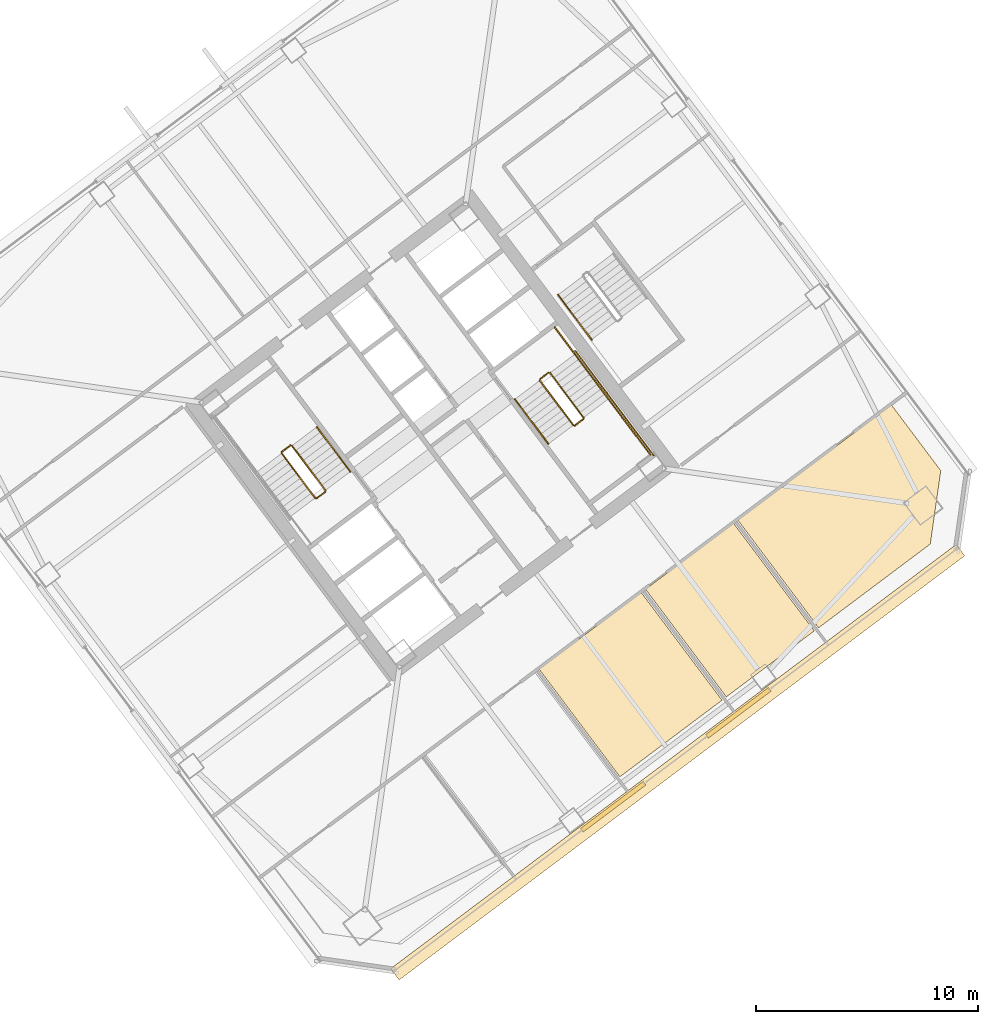
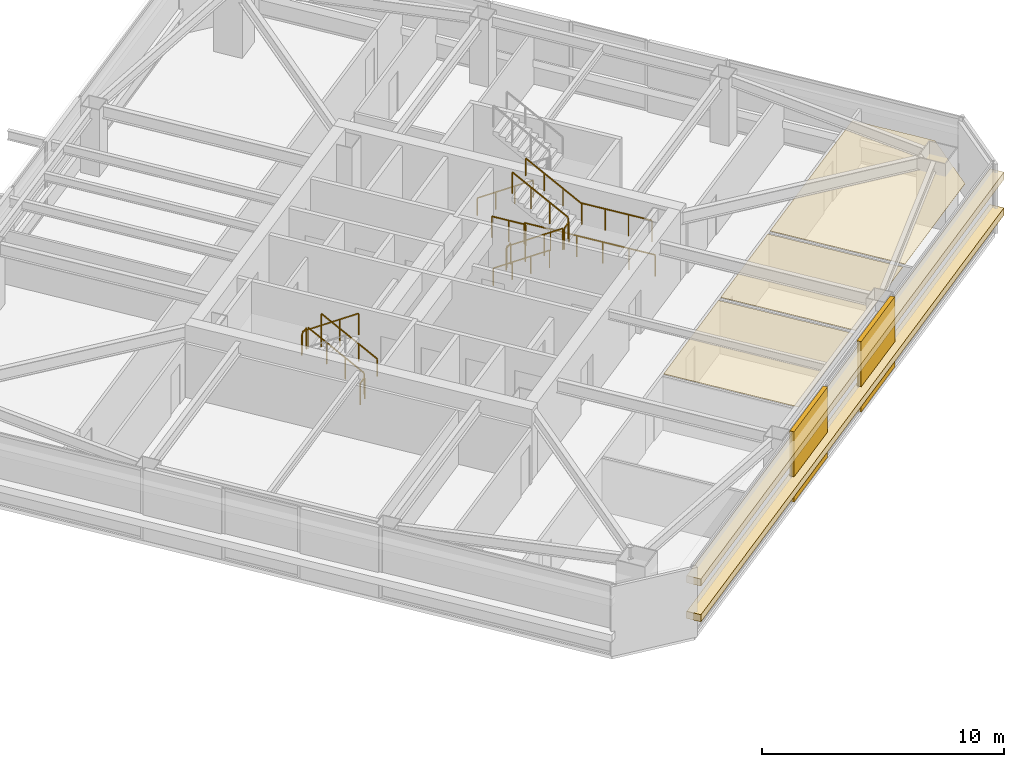
# One storey, part 40 of 42: 15 railings, 7 coverings.
"""IFC4 building model written with IfcOpenShell, lengths in metres."""

from ifc_helpers import new_model, si_unit, direction, frame, origin, origin_2d, place, context, subcontext, project, spatial, polyline, rectangle, outline, extrude, material, layer, layer_set, type_object, element, save


model = new_model("IFC4")

# Units and contexts
model_context = context("Model", 3, precision=1e-05, world=origin(), true_north=direction((0.0, 1.0)))
body_context = subcontext(model_context, "Body", "Model", "MODEL_VIEW")
ifc_project = project(units=[si_unit("LENGTHUNIT", "METRE"), si_unit("AREAUNIT", "SQUARE_METRE"), si_unit("VOLUMEUNIT", "CUBIC_METRE"), si_unit("PLANEANGLEUNIT", "RADIAN"), si_unit("MASSUNIT", "GRAM", prefix="KILO")], contexts=[model_context])

# Site, building, storey
site_placement = place(None, origin())
site = spatial("IfcSite", under=ifc_project, at=site_placement, CompositionType="ELEMENT")
building_placement = place(site_placement, origin())
building = spatial("IfcBuilding", under=site, at=building_placement, Name="Tashvorn Skyway Center", CompositionType="ELEMENT")
storey_placement = place(building_placement, frame((0.0, 0.0, 121.5)))
storey = spatial("IfcBuildingStorey", under=building, at=storey_placement, Name="L32", CompositionType="ELEMENT", Elevation=121.5)

# Coverings
ifc_material_1 = material(Name="Precast concrete C40/50", Category="concrete")
ifc_layer_1 = layer(ifc_material_1, 0.199951171875)
ifc_layer_set_1 = layer_set([ifc_layer_1], Name="Precast concrete C40/50")
covering_type_1 = type_object("IfcCoveringType", Name="COV-BRACE-CLAD", PredefinedType="CLADDING", material=ifc_layer_set_1)
for number, where, z_axis, x_axis, name in (
    (1, (127.791259765625, 19.493408203125, 0.0), (0.0, 0.0, 1.0), (-0.799999996291, -0.600000004945, 0.0), "Tower 2 L32 South Unitised Curtain Wall Mega-Brace Cladding Band 1"),
    (2, (122.144775390625, 15.258544921875, 0.0), (0.0, 0.0, 1.0), (-0.799999996291, -0.600000004945, 0.0), "Tower 2 L32 South Unitised Curtain Wall Mega-Brace Cladding Band 2"),
):
    element("IfcCovering", number, at=place(storey_placement, frame(where, z_axis=z_axis, x_axis=x_axis)), inside=storey, type_object=covering_type_1, Name=name, PredefinedType="CLADDING", context=body_context, shape_type="SweptSolid", body=[
        extrude(rectangle(XDim=3.52880859375, YDim=0.199951171875, at=origin_2d()), origin(), (0.0, 0.0, 1.0), 3.550048828125),
    ])
ifc_material_2 = material(Name="Mineral-fibre acoustic ceiling tile on suspended grid")
ifc_layer_2 = layer(ifc_material_2, 0.02001953125)
ifc_layer_set_2 = layer_set([ifc_layer_2], Name="Mineral-fibre acoustic ceiling tile on suspended grid")
covering_type_2 = type_object("IfcCoveringType", Name="COV-CEIL-20", PredefinedType="CEILING", material=ifc_layer_set_2)
covering_1_placement = place(storey_placement, frame((0.0, 0.0, 2.702880859375)))
element("IfcCovering", 3, at=covering_1_placement, inside=storey, type_object=covering_type_2, Name="Tower 2 L32 Design Studio Acoustic Ceiling", PredefinedType="CEILING", context=body_context, shape_type="SweptSolid", body=[
    extrude(outline(polyline([(118.802001953125, 21.464111328125), (123.409912109375, 24.919921875), (127.052001953125, 20.06396484375), (122.444091796875, 16.60791015625), (118.802001953125, 21.464111328125)])), origin(), (0.0, 0.0, 1.0), 0.02001953125),
])
covering_2_placement = place(storey_placement, frame((0.0, 0.0, 2.702880859375)))
element("IfcCovering", 4, at=covering_2_placement, inside=storey, type_object=covering_type_2, Name="Tower 2 L32 Reading Lounge Acoustic Ceiling", PredefinedType="CEILING", context=body_context, shape_type="SweptSolid", body=[
    extrude(outline(polyline([(123.60205078125, 25.06396484375), (127.570068359375, 28.0400390625), (131.2119140625, 23.18408203125), (127.243896484375, 20.2080078125), (123.60205078125, 25.06396484375)])), origin(), (0.0, 0.0, 1.0), 0.02001953125),
])
covering_3_placement = place(storey_placement, frame((0.0, 0.0, 2.702880859375)))
element("IfcCovering", 5, at=covering_3_placement, inside=storey, type_object=covering_type_2, Name="Tower 2 L32 Open Plan Office Acoustic Ceiling", PredefinedType="CEILING", context=body_context, shape_type="SweptSolid", body=[
    extrude(outline(polyline([(131.404052734375, 23.327880859375), (127.761962890625, 28.18408203125), (134.68994140625, 33.3798828125), (136.916015625, 30.412109375), (136.444091796875, 27.10791015625), (131.404052734375, 23.327880859375)])), origin(), (0.0, 0.0, 1.0), 0.02001953125),
])
ifc_material_3 = material(Name="Perforated ceramic-coated bronze aluminium solar screen", Category="aluminium")
ifc_layer_3 = layer(ifc_material_3, 0.85009765625)
ifc_layer_set_3 = layer_set([ifc_layer_3], Name="Perforated ceramic-coated bronze aluminium solar screen")
covering_type_3 = type_object("IfcCoveringType", Name="COV-SOLAR-BAND", PredefinedType="CLADDING", material=ifc_layer_set_3)
for number, where, z_axis, x_axis, name in (
    (6, (125.052001953125, 17.263916015625, 0.919921875), (0.0, 0.0, 1.0), (-0.799999996291, -0.600000004945, 0.0), "L32 Perforated Ceramic-Metal Solar Screen Louvre Band South 1"),
    (7, (125.052001953125, 17.263916015625, 2.7197265625), (0.0, 0.0, 1.0), (-0.799999996291, -0.600000004945, 0.0), "L32 Perforated Ceramic-Metal Solar Screen Louvre Band South 2"),
):
    element("IfcCovering", number, at=place(storey_placement, frame(where, z_axis=z_axis, x_axis=x_axis)), inside=storey, type_object=covering_type_3, Name=name, PredefinedType="CLADDING", context=body_context, shape_type="SweptSolid", body=[
        extrude(rectangle(XDim=31.8798828125, YDim=0.639892578125, at=origin_2d()), origin(), (0.0, 0.0, 1.0), 0.360107421875),
    ])

# Railings
ifc_material_4 = material(Name="Brushed stainless steel 316", Category="steel")
railing_type_1 = type_object("IfcRailingType", Name="RAIL-HAND-920", PredefinedType="HANDRAIL", material=ifc_material_4)
railing_1_placement = place(storey_placement, frame((110.2880859375, 30.365966796875, 0.177490234375)))
element("IfcRailing", 8, at=railing_1_placement, inside=storey, type_object=railing_type_1, Name="L32 ST-T2-1 stair handrail 1", PredefinedType="HANDRAIL", context=body_context, shape_type="SweptSolid", body=[
    extrude(rectangle(XDim=0.048095703125, YDim=0.048095703125, at=origin_2d()), frame((0.0, 0.0, 0.8759765625), z_axis=(-0.506801609611, 0.675680931896, 0.535357270211), x_axis=(-0.799976749893, -0.600030998891, 0.0)), (0.0, 0.0, 1.0), 2.98388671875),
    extrude(rectangle(XDim=0.0419921875, YDim=0.0419921875, at=origin_2d()), origin(), (0.0, 0.0, 1.0), 0.851806640625),
    extrude(rectangle(XDim=0.0419921875, YDim=0.0419921875, at=origin_2d()), frame((-0.504150390625, 0.672119140625, 0.532470703125)), (0.0, 0.0, 1.0), 0.851806640625),
    extrude(rectangle(XDim=0.0419921875, YDim=0.0419921875, at=origin_2d()), frame((-1.008056640625, 1.343994140625, 1.06494140625)), (0.0, 0.0, 1.0), 0.851806640625),
    extrude(rectangle(XDim=0.0419921875, YDim=0.0419921875, at=origin_2d()), frame((-1.51220703125, 2.01611328125, 1.597412109375)), (0.0, 0.0, 1.0), 0.851806640625),
])
railing_2_placement = place(storey_placement, frame((117.7119140625, 33.634033203125, 0.177490234375)))
element("IfcRailing", 9, at=railing_2_placement, inside=storey, type_object=railing_type_1, Name="L32 ST-T2-2 stair handrail 1", PredefinedType="HANDRAIL", context=body_context, shape_type="SweptSolid", body=[
    extrude(rectangle(XDim=0.048095703125, YDim=0.048095703125, at=origin_2d()), frame((0.0, 0.0, 0.8759765625), z_axis=(0.506801609611, -0.675680931896, 0.535357270211), x_axis=(0.799976749893, 0.600030998891, 0.0)), (0.0, 0.0, 1.0), 2.98388671875),
    extrude(rectangle(XDim=0.0419921875, YDim=0.0419921875, at=origin_2d()), origin(), (0.0, 0.0, 1.0), 0.851806640625),
    extrude(rectangle(XDim=0.0419921875, YDim=0.0419921875, at=origin_2d()), frame((0.504150390625, -0.672119140625, 0.532470703125)), (0.0, 0.0, 1.0), 0.851806640625),
    extrude(rectangle(XDim=0.0419921875, YDim=0.0419921875, at=origin_2d()), frame((1.008056640625, -1.343994140625, 1.06494140625)), (0.0, 0.0, 1.0), 0.851806640625),
    extrude(rectangle(XDim=0.0419921875, YDim=0.0419921875, at=origin_2d()), frame((1.51220703125, -2.01611328125, 1.597412109375)), (0.0, 0.0, 1.0), 0.851806640625),
])
railing_3_placement = place(storey_placement, frame((121.927978515625, 33.64599609375, 1.952392578125)))
element("IfcRailing", 10, at=railing_3_placement, inside=storey, type_object=railing_type_1, Name="L32 ST-T2-2 stair handrail 2", PredefinedType="HANDRAIL", context=body_context, shape_type="SweptSolid", body=[
    extrude(rectangle(XDim=0.048095703125, YDim=0.048095703125, at=origin_2d()), frame((0.0, 0.0, 0.8759765625), z_axis=(-0.506718600913, 0.675679348675, 0.535437836974), x_axis=(-0.800023250257, -0.599968998406, 0.0)), (0.0, 0.0, 1.0), 2.98388671875),
    extrude(rectangle(XDim=0.0419921875, YDim=0.0419921875, at=origin_2d()), origin(), (0.0, 0.0, 1.0), 0.851806640625),
    extrude(rectangle(XDim=0.0419921875, YDim=0.0419921875, at=origin_2d()), frame((-0.50390625, 0.672119140625, 0.532470703125)), (0.0, 0.0, 1.0), 0.851806640625),
    extrude(rectangle(XDim=0.0419921875, YDim=0.0419921875, at=origin_2d()), frame((-1.008056640625, 1.343994140625, 1.065185546875)), (0.0, 0.0, 1.0), 0.851806640625),
    extrude(rectangle(XDim=0.0419921875, YDim=0.0419921875, at=origin_2d()), frame((-1.511962890625, 2.01611328125, 1.59765625)), (0.0, 0.0, 1.0), 0.851806640625),
])
railing_4_placement = place(storey_placement, frame((119.656005859375, 38.342041015625, 0.177490234375)))
element("IfcRailing", 11, at=railing_4_placement, inside=storey, type_object=railing_type_1, Name="L32 ST-T2-3 stair handrail 1", PredefinedType="HANDRAIL", context=body_context, shape_type="SweptSolid", body=[
    extrude(rectangle(XDim=0.048095703125, YDim=0.048095703125, at=origin_2d()), frame((0.0, 0.0, 0.8759765625), z_axis=(0.506740800098, -0.675708949977, 0.535379469569), x_axis=(0.800023250257, 0.599968998406, 0.0)), (0.0, 0.0, 1.0), 2.983642578125),
    extrude(rectangle(XDim=0.0419921875, YDim=0.0419921875, at=origin_2d()), origin(), (0.0, 0.0, 1.0), 0.851806640625),
    extrude(rectangle(XDim=0.0419921875, YDim=0.0419921875, at=origin_2d()), frame((0.50390625, -0.672119140625, 0.532470703125)), (0.0, 0.0, 1.0), 0.851806640625),
    extrude(rectangle(XDim=0.0419921875, YDim=0.0419921875, at=origin_2d()), frame((1.008056640625, -1.343994140625, 1.06494140625)), (0.0, 0.0, 1.0), 0.851806640625),
    extrude(rectangle(XDim=0.0419921875, YDim=0.0419921875, at=origin_2d()), frame((1.511962890625, -2.01611328125, 1.597412109375)), (0.0, 0.0, 1.0), 0.851806640625),
])
ifc_material_5 = material(Name="Painted galvanized steel S355", Category="steel")
railing_type_2 = type_object("IfcRailingType", Name="RAIL-STGUARD-1100", PredefinedType="GUARDRAIL", material=ifc_material_5)
railing_5_placement = place(storey_placement, frame((109.16796875, 29.52587890625, 0.177490234375)))
element("IfcRailing", 12, at=railing_5_placement, inside=storey, type_object=railing_type_2, Name="L32 ST-T2-1 stair guard 1", PredefinedType="GUARDRAIL", context=body_context, shape_type="SweptSolid", body=[
    extrude(rectangle(XDim=0.048095703125, YDim=0.048095703125, at=origin_2d()), frame((0.0, 0.0, 1.076171875), z_axis=(-0.506740800098, 0.675708949977, 0.535379469569), x_axis=(-0.800023250257, -0.599968998406, 0.0)), (0.0, 0.0, 1.0), 2.983642578125),
    extrude(rectangle(XDim=0.0419921875, YDim=0.0419921875, at=origin_2d()), origin(), (0.0, 0.0, 1.0), 1.052001953125),
    extrude(rectangle(XDim=0.0419921875, YDim=0.0419921875, at=origin_2d()), frame((-0.50390625, 0.672119140625, 0.532470703125)), (0.0, 0.0, 1.0), 1.052001953125),
    extrude(rectangle(XDim=0.0419921875, YDim=0.0419921875, at=origin_2d()), frame((-1.008056640625, 1.343994140625, 1.06494140625)), (0.0, 0.0, 1.0), 1.052001953125),
    extrude(rectangle(XDim=0.0419921875, YDim=0.0419921875, at=origin_2d()), frame((-1.511962890625, 2.01611328125, 1.597412109375)), (0.0, 0.0, 1.0), 1.052001953125),
])
railing_6_placement = place(storey_placement, frame((107.5859375, 31.552001953125, 1.77490234375)))
element("IfcRailing", 13, at=railing_6_placement, inside=storey, type_object=railing_type_2, Name="L32 ST-T2-1 stair guard 2", PredefinedType="GUARDRAIL", context=body_context, shape_type="SweptSolid", body=[
    extrude(rectangle(XDim=0.048095703125, YDim=0.048095703125, at=origin_2d()), frame((0.0, 0.0, 1.076171875), z_axis=(-0.799938970639, -0.600081363861, 0.0), x_axis=(0.600081363861, -0.799938970639, 0.0)), (0.0, 0.0, 1.0), 0.47998046875),
    extrude(rectangle(XDim=0.0419921875, YDim=0.0419921875, at=origin_2d()), origin(), (0.0, 0.0, 1.0), 1.052001953125),
    extrude(rectangle(XDim=0.0419921875, YDim=0.0419921875, at=origin_2d()), frame((-0.384033203125, -0.2880859375, 0.0)), (0.0, 0.0, 1.0), 1.052001953125),
])
railing_7_placement = place(storey_placement, frame((107.19189453125, 31.194091796875, 1.952392578125)))
element("IfcRailing", 14, at=railing_7_placement, inside=storey, type_object=railing_type_2, Name="L32 ST-T2-1 stair guard 4", PredefinedType="GUARDRAIL", context=body_context, shape_type="SweptSolid", body=[
    extrude(rectangle(XDim=0.048095703125, YDim=0.048095703125, at=origin_2d()), frame((0.0, 0.0, 1.076171875), z_axis=(0.506779409603, -0.675651334276, 0.53541563714), x_axis=(0.799976749893, 0.600030998891, 0.0)), (0.0, 0.0, 1.0), 2.98388671875),
    extrude(rectangle(XDim=0.0419921875, YDim=0.0419921875, at=origin_2d()), origin(), (0.0, 0.0, 1.0), 1.052001953125),
    extrude(rectangle(XDim=0.0419921875, YDim=0.0419921875, at=origin_2d()), frame((0.504150390625, -0.672119140625, 0.532470703125)), (0.0, 0.0, 1.0), 1.052001953125),
    extrude(rectangle(XDim=0.0419921875, YDim=0.0419921875, at=origin_2d()), frame((1.008056640625, -1.343994140625, 1.065185546875)), (0.0, 0.0, 1.0), 1.052001953125),
    extrude(rectangle(XDim=0.0419921875, YDim=0.0419921875, at=origin_2d()), frame((1.51220703125, -2.01611328125, 1.59765625)), (0.0, 0.0, 1.0), 1.052001953125),
])
railing_8_placement = place(storey_placement, frame((109.157958984375, 29.4560546875, 0.0)))
element("IfcRailing", 15, at=railing_8_placement, inside=storey, type_object=railing_type_2, Name="L32 ST-T2-1 stair guard 5", PredefinedType="GUARDRAIL", context=body_context, shape_type="SweptSolid", body=[
    extrude(rectangle(XDim=0.048095703125, YDim=0.048095703125, at=origin_2d()), frame((0.0, 0.0, 1.076171875), z_axis=(-0.799938970639, -0.600081363861, 0.0), x_axis=(0.600081363861, -0.799938970639, 0.0)), (0.0, 0.0, 1.0), 0.47998046875),
    extrude(rectangle(XDim=0.0419921875, YDim=0.0419921875, at=origin_2d()), origin(), (0.0, 0.0, 1.0), 1.052001953125),
    extrude(rectangle(XDim=0.0419921875, YDim=0.0419921875, at=origin_2d()), frame((-0.384033203125, -0.2880859375, 0.0)), (0.0, 0.0, 1.0), 1.052001953125),
])
railing_9_placement = place(storey_placement, frame((118.83203125, 34.47412109375, 0.177490234375)))
element("IfcRailing", 16, at=railing_9_placement, inside=storey, type_object=railing_type_2, Name="L32 ST-T2-2 stair guard 1", PredefinedType="GUARDRAIL", context=body_context, shape_type="SweptSolid", body=[
    extrude(rectangle(XDim=0.048095703125, YDim=0.048095703125, at=origin_2d()), frame((0.0, 0.0, 1.076171875), z_axis=(0.506740800098, -0.675708949977, 0.535379469569), x_axis=(0.800023250257, 0.599968998406, 0.0)), (0.0, 0.0, 1.0), 2.983642578125),
    extrude(rectangle(XDim=0.0419921875, YDim=0.0419921875, at=origin_2d()), origin(), (0.0, 0.0, 1.0), 1.052001953125),
    extrude(rectangle(XDim=0.0419921875, YDim=0.0419921875, at=origin_2d()), frame((0.50390625, -0.672119140625, 0.532470703125)), (0.0, 0.0, 1.0), 1.052001953125),
    extrude(rectangle(XDim=0.0419921875, YDim=0.0419921875, at=origin_2d()), frame((1.008056640625, -1.343994140625, 1.06494140625)), (0.0, 0.0, 1.0), 1.052001953125),
    extrude(rectangle(XDim=0.0419921875, YDim=0.0419921875, at=origin_2d()), frame((1.511962890625, -2.01611328125, 1.597412109375)), (0.0, 0.0, 1.0), 1.052001953125),
])
railing_10_placement = place(storey_placement, frame((120.4140625, 32.447998046875, 1.77490234375)))
element("IfcRailing", 17, at=railing_10_placement, inside=storey, type_object=railing_type_2, Name="L32 ST-T2-2 stair guard 2", PredefinedType="GUARDRAIL", context=body_context, shape_type="SweptSolid", body=[
    extrude(rectangle(XDim=0.048095703125, YDim=0.048095703125, at=origin_2d()), frame((0.0, 0.0, 1.076171875), z_axis=(0.799938970639, 0.600081363861, 0.0), x_axis=(-0.600081363861, 0.799938970639, 0.0)), (0.0, 0.0, 1.0), 0.47998046875),
    extrude(rectangle(XDim=0.0419921875, YDim=0.0419921875, at=origin_2d()), origin(), (0.0, 0.0, 1.0), 1.052001953125),
    extrude(rectangle(XDim=0.0419921875, YDim=0.0419921875, at=origin_2d()), frame((0.384033203125, 0.2880859375, 0.0)), (0.0, 0.0, 1.0), 1.052001953125),
])
railing_11_placement = place(storey_placement, frame((121.927978515625, 33.64599609375, 1.77490234375)))
element("IfcRailing", 18, at=railing_11_placement, inside=storey, type_object=railing_type_2, Name="L32 ST-T2-2 stair guard 3", PredefinedType="GUARDRAIL", context=body_context, shape_type="SweptSolid", body=[
    extrude(rectangle(XDim=0.048095703125, YDim=0.048095703125, at=origin_2d()), frame((0.0, 0.0, 1.076171875), z_axis=(0.599987638607, -0.800009270896, 0.0), x_axis=(0.800009270896, 0.599987638607, 0.0)), (0.0, 0.0, 1.0), 3.16015625),
    extrude(rectangle(XDim=0.0419921875, YDim=0.0419921875, at=origin_2d()), origin(), (0.0, 0.0, 1.0), 1.052001953125),
    extrude(rectangle(XDim=0.0419921875, YDim=0.0419921875, at=origin_2d()), frame((0.632080078125, -0.8427734375, 0.0)), (0.0, 0.0, 1.0), 1.052001953125),
    extrude(rectangle(XDim=0.0419921875, YDim=0.0419921875, at=origin_2d()), frame((1.263916015625, -1.685302734375, 0.0)), (0.0, 0.0, 1.0), 1.052001953125),
    extrude(rectangle(XDim=0.0419921875, YDim=0.0419921875, at=origin_2d()), frame((1.89599609375, -2.528076171875, 0.0)), (0.0, 0.0, 1.0), 1.052001953125),
])
railing_12_placement = place(storey_placement, frame((120.80810546875, 32.805908203125, 1.952392578125)))
element("IfcRailing", 19, at=railing_12_placement, inside=storey, type_object=railing_type_2, Name="L32 ST-T2-2 stair guard 4", PredefinedType="GUARDRAIL", context=body_context, shape_type="SweptSolid", body=[
    extrude(rectangle(XDim=0.048095703125, YDim=0.048095703125, at=origin_2d()), frame((0.0, 0.0, 1.076171875), z_axis=(-0.506779409603, 0.675651334276, 0.53541563714), x_axis=(-0.799976749893, -0.600030998891, 0.0)), (0.0, 0.0, 1.0), 2.98388671875),
    extrude(rectangle(XDim=0.0419921875, YDim=0.0419921875, at=origin_2d()), origin(), (0.0, 0.0, 1.0), 1.052001953125),
    extrude(rectangle(XDim=0.0419921875, YDim=0.0419921875, at=origin_2d()), frame((-0.504150390625, 0.672119140625, 0.532470703125)), (0.0, 0.0, 1.0), 1.052001953125),
    extrude(rectangle(XDim=0.0419921875, YDim=0.0419921875, at=origin_2d()), frame((-1.008056640625, 1.343994140625, 1.065185546875)), (0.0, 0.0, 1.0), 1.052001953125),
    extrude(rectangle(XDim=0.0419921875, YDim=0.0419921875, at=origin_2d()), frame((-1.51220703125, 2.01611328125, 1.59765625)), (0.0, 0.0, 1.0), 1.052001953125),
])
railing_13_placement = place(storey_placement, frame((118.842041015625, 34.5439453125, 0.0)))
element("IfcRailing", 20, at=railing_13_placement, inside=storey, type_object=railing_type_2, Name="L32 ST-T2-2 stair guard 5", PredefinedType="GUARDRAIL", context=body_context, shape_type="SweptSolid", body=[
    extrude(rectangle(XDim=0.048095703125, YDim=0.048095703125, at=origin_2d()), frame((0.0, 0.0, 1.076171875), z_axis=(0.799938970639, 0.600081363861, 0.0), x_axis=(-0.600081363861, 0.799938970639, 0.0)), (0.0, 0.0, 1.0), 0.47998046875),
    extrude(rectangle(XDim=0.0419921875, YDim=0.0419921875, at=origin_2d()), origin(), (0.0, 0.0, 1.0), 1.052001953125),
    extrude(rectangle(XDim=0.0419921875, YDim=0.0419921875, at=origin_2d()), frame((0.384033203125, 0.2880859375, 0.0)), (0.0, 0.0, 1.0), 1.052001953125),
])
railing_14_placement = place(storey_placement, frame((119.50390625, 36.8779296875, 0.0)))
element("IfcRailing", 21, at=railing_14_placement, inside=storey, type_object=railing_type_2, Name="L32 ST-T2-2 stair guard 6", PredefinedType="GUARDRAIL", context=body_context, shape_type="SweptSolid", body=[
    extrude(rectangle(XDim=0.048095703125, YDim=0.048095703125, at=origin_2d()), frame((0.0, 0.0, 1.076171875), z_axis=(0.600102796382, -0.799922892393, 0.0), x_axis=(0.799922892393, 0.600102796382, 0.0)), (0.0, 0.0, 1.0), 1.52001953125),
    extrude(rectangle(XDim=0.0419921875, YDim=0.0419921875, at=origin_2d()), origin(), (0.0, 0.0, 1.0), 1.052001953125),
    extrude(rectangle(XDim=0.0419921875, YDim=0.0419921875, at=origin_2d()), frame((0.4560546875, -0.60791015625, 0.0)), (0.0, 0.0, 1.0), 1.052001953125),
    extrude(rectangle(XDim=0.0419921875, YDim=0.0419921875, at=origin_2d()), frame((0.912109375, -1.2158203125, 0.0)), (0.0, 0.0, 1.0), 1.052001953125),
])
railing_15_placement = place(storey_placement, frame((120.43603515625, 35.802001953125, 0.0)))
element("IfcRailing", 22, at=railing_15_placement, inside=storey, type_object=railing_type_2, Name="L32 ST-T2-2 stair guard 7", PredefinedType="GUARDRAIL", context=body_context, shape_type="SweptSolid", body=[
    extrude(rectangle(XDim=0.048095703125, YDim=0.048095703125, at=origin_2d()), frame((0.0, 0.0, 1.076171875), z_axis=(0.6, -0.8, 0.0), x_axis=(0.8, 0.6, 0.0)), (0.0, 0.0, 1.0), 5.880126953125),
    extrude(rectangle(XDim=0.0419921875, YDim=0.0419921875, at=origin_2d()), origin(), (0.0, 0.0, 1.0), 1.052001953125),
    extrude(rectangle(XDim=0.0419921875, YDim=0.0419921875, at=origin_2d()), frame((0.70556640625, -0.94091796875, 0.0)), (0.0, 0.0, 1.0), 1.052001953125),
    extrude(rectangle(XDim=0.0419921875, YDim=0.0419921875, at=origin_2d()), frame((1.4111328125, -1.881591796875, 0.0)), (0.0, 0.0, 1.0), 1.052001953125),
    extrude(rectangle(XDim=0.0419921875, YDim=0.0419921875, at=origin_2d()), frame((2.116943359375, -2.822509765625, 0.0)), (0.0, 0.0, 1.0), 1.052001953125),
    extrude(rectangle(XDim=0.0419921875, YDim=0.0419921875, at=origin_2d()), frame((2.822509765625, -3.76318359375, 0.0)), (0.0, 0.0, 1.0), 1.052001953125),
    extrude(rectangle(XDim=0.0419921875, YDim=0.0419921875, at=origin_2d()), frame((3.528076171875, -4.7041015625, 0.0)), (0.0, 0.0, 1.0), 1.052001953125),
])

save(model, "model.ifc")
